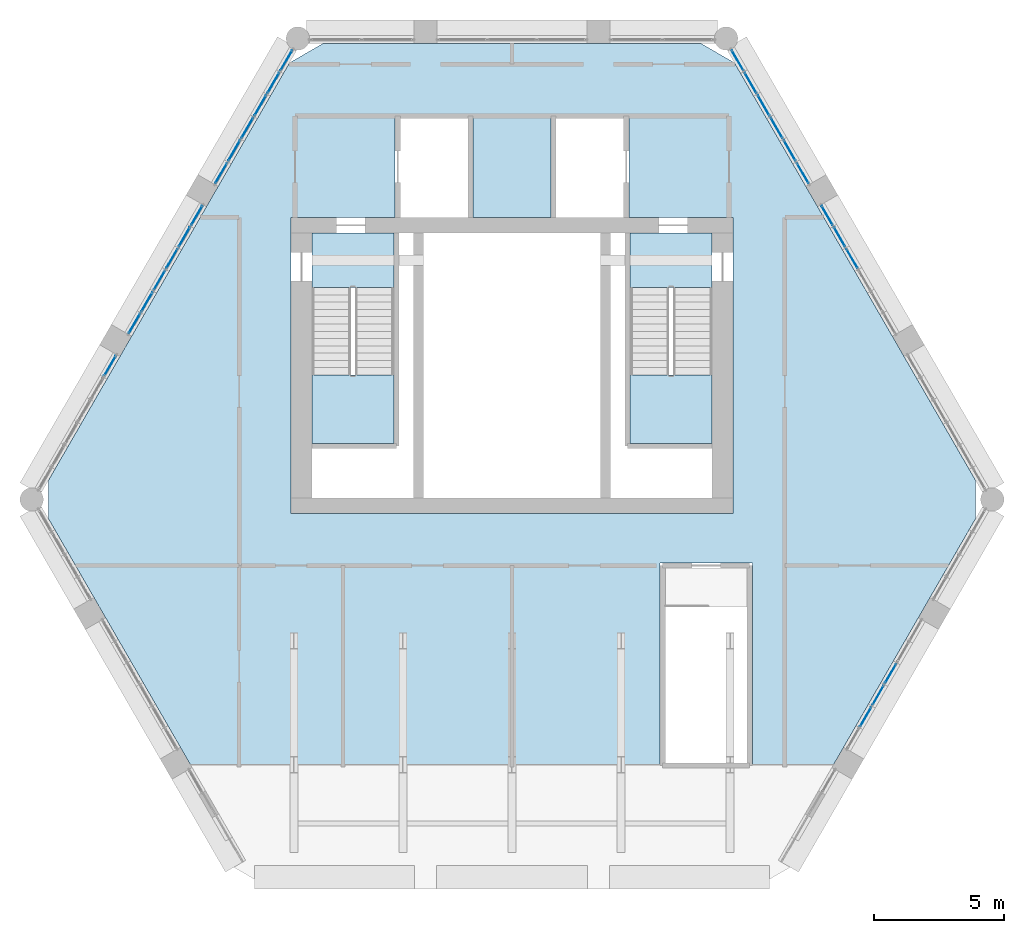
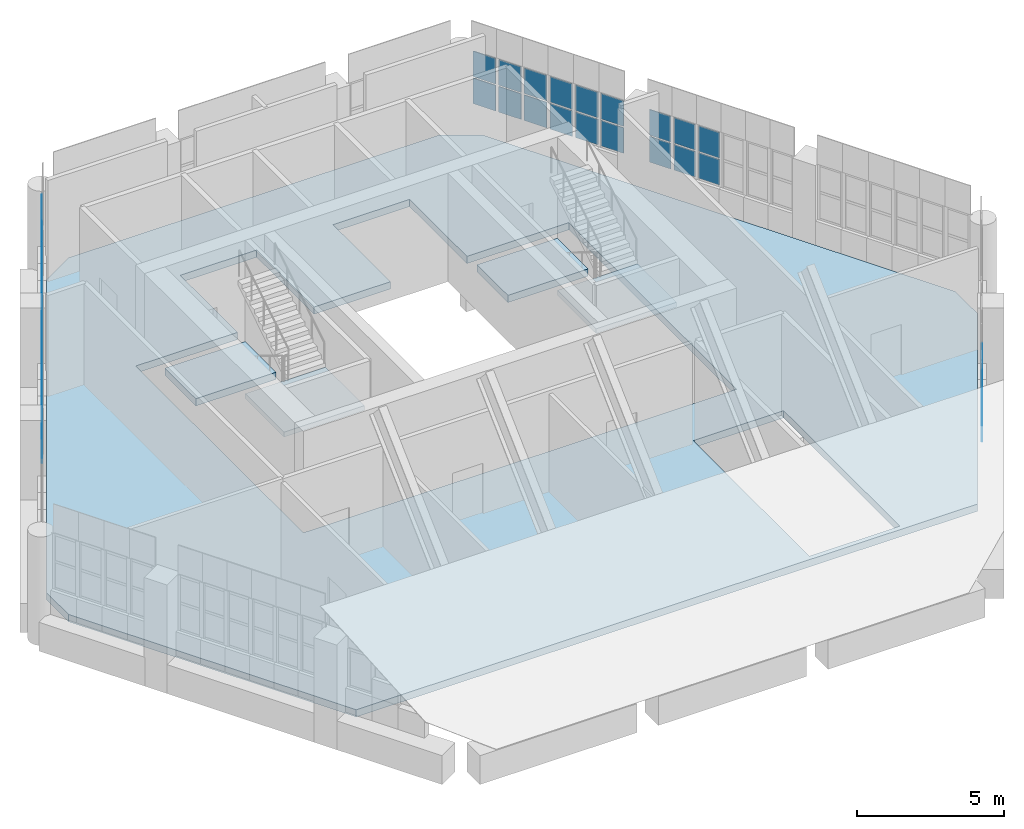
# One storey, part 18 of 25: 49 plates, 5 slabs, 27 elements without a shape of their own.
"""IFC4 building model written with IfcOpenShell, lengths in metres."""

from ifc_helpers import new_model, si_unit, direction, frame, origin, origin_2d, place, context, subcontext, project, spatial, polyline, rectangle, outline, extrude, material, layer, layer_set, type_object, element, aggregate, save


model = new_model("IFC4")

# Units and contexts
model_context = context("Model", 3, precision=1e-05, world=origin(), true_north=direction((0.0, 1.0)))
body_context = subcontext(model_context, "Body", "Model", "MODEL_VIEW")
ifc_project = project(units=[si_unit("LENGTHUNIT", "METRE"), si_unit("AREAUNIT", "SQUARE_METRE"), si_unit("VOLUMEUNIT", "CUBIC_METRE"), si_unit("PLANEANGLEUNIT", "RADIAN"), si_unit("MASSUNIT", "GRAM", prefix="KILO")], contexts=[model_context])

# Site, building, storey
site_placement = place(None, origin())
site = spatial("IfcSite", under=ifc_project, at=site_placement, CompositionType="ELEMENT")
building_placement = place(site_placement, origin())
building = spatial("IfcBuilding", under=site, at=building_placement, Name="Ostrander Bayou Hotel Tower", CompositionType="ELEMENT")
storey_placement = place(building_placement, frame((0.0, 0.0, 275.0)))
storey = spatial("IfcBuildingStorey", under=building, at=storey_placement, Name="L68", CompositionType="ELEMENT", Elevation=275.0)

# Curtain wall, plates
ifc_material_1 = material(Name="Aluminium and clear glass", Category="aluminium")
curtain_wall_type = type_object("IfcCurtainWallType", Name="CW-CROWN glazed wall", PredefinedType="NOTDEFINED", material=ifc_material_1)
curtain_wall_1_placement = place(storey_placement, origin())
curtain_wall_1 = element("IfcCurtainWall", 1, at=curtain_wall_1_placement, inside=storey, type_object=curtain_wall_type, Name="CW-CROWN L68:NW-1-1", PredefinedType="NOTDEFINED")
ifc_material_2 = material(Name="Clear laminated glass", Category="glass")
ifc_layer_1 = layer(ifc_material_2, 0.028076171875)
ifc_layer_set_1 = layer_set([ifc_layer_1], Name="CW-CR glazing panel 28 mm")
plate_type = type_object("IfcPlateType", Name="CW-CR glazing panel 28 mm", PredefinedType="CURTAIN_PANEL", material=ifc_layer_set_1)
plate_1_placement = place(storey_placement, frame((-8.682861328125, 15.748046875, 1.06005859375), z_axis=(0.0, 0.0, 1.0), x_axis=(-0.499998569184, -0.866026229865, 0.0)))
plate_1 = element("IfcPlate", 2, at=plate_1_placement, type_object=plate_type, Name="CW-CROWN panel 1.1", PredefinedType="CURTAIN_PANEL", context=body_context, shape_type="SweptSolid", body=[
    extrude(rectangle(XDim=0.88330078125, YDim=0.028076171875, at=origin_2d()), origin(), (0.0, 0.0, 1.0), 1.06005859375),
])
plate_2_placement = place(storey_placement, frame((-8.682861328125, 15.748046875, 2.179931640625), z_axis=(0.0, 0.0, 1.0), x_axis=(-0.499998569184, -0.866026229865, 0.0)))
plate_2 = element("IfcPlate", 3, at=plate_2_placement, type_object=plate_type, Name="CW-CROWN panel 1.2", PredefinedType="CURTAIN_PANEL", context=body_context, shape_type="SweptSolid", body=[
    extrude(rectangle(XDim=0.88330078125, YDim=0.028076171875, at=origin_2d()), origin(), (0.0, 0.0, 1.0), 1.06005859375),
])
aggregate(curtain_wall_1, [plate_1, plate_2])

curtain_wall_2_placement = place(storey_placement, origin())
curtain_wall_2 = element("IfcCurtainWall", 4, at=curtain_wall_2_placement, inside=storey, type_object=curtain_wall_type, Name="CW-CROWN L68:NW-1-2", PredefinedType="NOTDEFINED")
plate_3_placement = place(storey_placement, frame((-9.184326171875, 14.879150390625, 1.06005859375), z_axis=(0.0, 0.0, 1.0), x_axis=(-0.50004173523, -0.866001306597, 0.0)))
plate_3 = element("IfcPlate", 5, at=plate_3_placement, type_object=plate_type, Name="CW-CROWN panel 1.1", PredefinedType="CURTAIN_PANEL", context=body_context, shape_type="SweptSolid", body=[
    extrude(rectangle(XDim=0.883056640625, YDim=0.028076171875, at=origin_2d()), origin(), (0.0, 0.0, 1.0), 1.06005859375),
])
plate_4_placement = place(storey_placement, frame((-9.184326171875, 14.879150390625, 2.179931640625), z_axis=(0.0, 0.0, 1.0), x_axis=(-0.50004173523, -0.866001306597, 0.0)))
plate_4 = element("IfcPlate", 6, at=plate_4_placement, type_object=plate_type, Name="CW-CROWN panel 1.2", PredefinedType="CURTAIN_PANEL", context=body_context, shape_type="SweptSolid", body=[
    extrude(rectangle(XDim=0.883056640625, YDim=0.028076171875, at=origin_2d()), origin(), (0.0, 0.0, 1.0), 1.06005859375),
])
aggregate(curtain_wall_2, [plate_3, plate_4])

curtain_wall_3_placement = place(storey_placement, origin())
curtain_wall_3 = element("IfcCurtainWall", 7, at=curtain_wall_3_placement, inside=storey, type_object=curtain_wall_type, Name="CW-CROWN L68:NW-1-3", PredefinedType="NOTDEFINED")
plate_5_placement = place(storey_placement, frame((-9.68603515625, 14.010498046875, 1.06005859375), z_axis=(0.0, 0.0, 1.0), x_axis=(-0.499998569184, -0.866026229865, 0.0)))
plate_5 = element("IfcPlate", 8, at=plate_5_placement, type_object=plate_type, Name="CW-CROWN panel 1.1", PredefinedType="CURTAIN_PANEL", context=body_context, shape_type="SweptSolid", body=[
    extrude(rectangle(XDim=0.88330078125, YDim=0.028076171875, at=origin_2d()), origin(), (0.0, 0.0, 1.0), 1.06005859375),
])
plate_6_placement = place(storey_placement, frame((-9.68603515625, 14.010498046875, 2.179931640625), z_axis=(0.0, 0.0, 1.0), x_axis=(-0.499998569184, -0.866026229865, 0.0)))
plate_6 = element("IfcPlate", 9, at=plate_6_placement, type_object=plate_type, Name="CW-CROWN panel 1.2", PredefinedType="CURTAIN_PANEL", context=body_context, shape_type="SweptSolid", body=[
    extrude(rectangle(XDim=0.88330078125, YDim=0.028076171875, at=origin_2d()), origin(), (0.0, 0.0, 1.0), 1.06005859375),
])
aggregate(curtain_wall_3, [plate_5, plate_6])

curtain_wall_4_placement = place(storey_placement, origin())
curtain_wall_4 = element("IfcCurtainWall", 10, at=curtain_wall_4_placement, inside=storey, type_object=curtain_wall_type, Name="CW-CROWN L68:NW-1-4", PredefinedType="NOTDEFINED")
plate_7_placement = place(storey_placement, frame((-10.1875, 13.1416015625, 1.06005859375), z_axis=(0.0, 0.0, 1.0), x_axis=(-0.499923802893, -0.866069391736, 0.0)))
plate_7 = element("IfcPlate", 11, at=plate_7_placement, type_object=plate_type, Name="CW-CROWN panel 1.1", PredefinedType="CURTAIN_PANEL", context=body_context, shape_type="SweptSolid", body=[
    extrude(rectangle(XDim=0.883056640625, YDim=0.028076171875, at=origin_2d()), origin(), (0.0, 0.0, 1.0), 1.06005859375),
])
plate_8_placement = place(storey_placement, frame((-10.1875, 13.1416015625, 2.179931640625), z_axis=(0.0, 0.0, 1.0), x_axis=(-0.499923802893, -0.866069391736, 0.0)))
plate_8 = element("IfcPlate", 12, at=plate_8_placement, type_object=plate_type, Name="CW-CROWN panel 1.2", PredefinedType="CURTAIN_PANEL", context=body_context, shape_type="SweptSolid", body=[
    extrude(rectangle(XDim=0.883056640625, YDim=0.028076171875, at=origin_2d()), origin(), (0.0, 0.0, 1.0), 1.06005859375),
])
aggregate(curtain_wall_4, [plate_7, plate_8])

curtain_wall_5_placement = place(storey_placement, origin())
curtain_wall_5 = element("IfcCurtainWall", 13, at=curtain_wall_5_placement, inside=storey, type_object=curtain_wall_type, Name="CW-CROWN L68:NW-1-5", PredefinedType="NOTDEFINED")
plate_9_placement = place(storey_placement, frame((-10.689208984375, 12.27294921875, 1.06005859375), z_axis=(0.0, 0.0, 1.0), x_axis=(-0.50004173523, -0.866001306597, 0.0)))
plate_9 = element("IfcPlate", 14, at=plate_9_placement, type_object=plate_type, Name="CW-CROWN panel 1.1", PredefinedType="CURTAIN_PANEL", context=body_context, shape_type="SweptSolid", body=[
    extrude(rectangle(XDim=0.883056640625, YDim=0.028076171875, at=origin_2d()), origin(), (0.0, 0.0, 1.0), 1.06005859375),
])
plate_10_placement = place(storey_placement, frame((-10.689208984375, 12.27294921875, 2.179931640625), z_axis=(0.0, 0.0, 1.0), x_axis=(-0.50004173523, -0.866001306597, 0.0)))
plate_10 = element("IfcPlate", 15, at=plate_10_placement, type_object=plate_type, Name="CW-CROWN panel 1.2", PredefinedType="CURTAIN_PANEL", context=body_context, shape_type="SweptSolid", body=[
    extrude(rectangle(XDim=0.883056640625, YDim=0.028076171875, at=origin_2d()), origin(), (0.0, 0.0, 1.0), 1.06005859375),
])
aggregate(curtain_wall_5, [plate_9, plate_10])

curtain_wall_6_placement = place(storey_placement, origin())
curtain_wall_6 = element("IfcCurtainWall", 16, at=curtain_wall_6_placement, inside=storey, type_object=curtain_wall_type, Name="CW-CROWN L68:NW-1-6", PredefinedType="NOTDEFINED")
plate_11_placement = place(storey_placement, frame((-11.190673828125, 11.404296875, 1.06005859375), z_axis=(0.0, 0.0, 1.0), x_axis=(-0.499998569184, -0.866026229865, 0.0)))
plate_11 = element("IfcPlate", 17, at=plate_11_placement, type_object=plate_type, Name="CW-CROWN panel 1.1", PredefinedType="CURTAIN_PANEL", context=body_context, shape_type="SweptSolid", body=[
    extrude(rectangle(XDim=0.88330078125, YDim=0.028076171875, at=origin_2d()), origin(), (0.0, 0.0, 1.0), 1.06005859375),
])
plate_12_placement = place(storey_placement, frame((-11.190673828125, 11.404296875, 2.179931640625), z_axis=(0.0, 0.0, 1.0), x_axis=(-0.499998569184, -0.866026229865, 0.0)))
plate_12 = element("IfcPlate", 18, at=plate_12_placement, type_object=plate_type, Name="CW-CROWN panel 1.2", PredefinedType="CURTAIN_PANEL", context=body_context, shape_type="SweptSolid", body=[
    extrude(rectangle(XDim=0.88330078125, YDim=0.028076171875, at=origin_2d()), origin(), (0.0, 0.0, 1.0), 1.06005859375),
])
aggregate(curtain_wall_6, [plate_11, plate_12])

curtain_wall_7_placement = place(storey_placement, origin())
curtain_wall_7 = element("IfcCurtainWall", 19, at=curtain_wall_7_placement, inside=storey, type_object=curtain_wall_type, Name="CW-CROWN L68:NW-2-1", PredefinedType="NOTDEFINED")
plate_13_placement = place(storey_placement, frame((-12.13134765625, 9.77490234375, 1.06005859375), z_axis=(0.0, 0.0, 1.0), x_axis=(-0.500005045044, -0.866022491007, 0.0)))
plate_13 = element("IfcPlate", 20, at=plate_13_placement, type_object=plate_type, Name="CW-CROWN panel 1.1", PredefinedType="CURTAIN_PANEL", context=body_context, shape_type="SweptSolid", body=[
    extrude(rectangle(XDim=0.83984375, YDim=0.028076171875, at=origin_2d()), origin(), (0.0, 0.0, 1.0), 1.06005859375),
])
plate_14_placement = place(storey_placement, frame((-12.13134765625, 9.77490234375, 2.179931640625), z_axis=(0.0, 0.0, 1.0), x_axis=(-0.500005045044, -0.866022491007, 0.0)))
plate_14 = element("IfcPlate", 21, at=plate_14_placement, type_object=plate_type, Name="CW-CROWN panel 1.2", PredefinedType="CURTAIN_PANEL", context=body_context, shape_type="SweptSolid", body=[
    extrude(rectangle(XDim=0.83984375, YDim=0.028076171875, at=origin_2d()), origin(), (0.0, 0.0, 1.0), 1.06005859375),
])
aggregate(curtain_wall_7, [plate_13, plate_14])

curtain_wall_8_placement = place(storey_placement, origin())
curtain_wall_8 = element("IfcCurtainWall", 22, at=curtain_wall_8_placement, inside=storey, type_object=curtain_wall_type, Name="CW-CROWN L68:NW-2-2", PredefinedType="NOTDEFINED")
plate_15_placement = place(storey_placement, frame((-12.611328125, 8.943603515625, 1.06005859375), z_axis=(0.0, 0.0, 1.0), x_axis=(-0.500005045044, -0.866022491007, 0.0)))
plate_15 = element("IfcPlate", 23, at=plate_15_placement, type_object=plate_type, Name="CW-CROWN panel 1.1", PredefinedType="CURTAIN_PANEL", context=body_context, shape_type="SweptSolid", body=[
    extrude(rectangle(XDim=0.83984375, YDim=0.028076171875, at=origin_2d()), origin(), (0.0, 0.0, 1.0), 1.06005859375),
])
plate_16_placement = place(storey_placement, frame((-12.611328125, 8.943603515625, 2.179931640625), z_axis=(0.0, 0.0, 1.0), x_axis=(-0.500005045044, -0.866022491007, 0.0)))
plate_16 = element("IfcPlate", 24, at=plate_16_placement, type_object=plate_type, Name="CW-CROWN panel 1.2", PredefinedType="CURTAIN_PANEL", context=body_context, shape_type="SweptSolid", body=[
    extrude(rectangle(XDim=0.83984375, YDim=0.028076171875, at=origin_2d()), origin(), (0.0, 0.0, 1.0), 1.06005859375),
])
aggregate(curtain_wall_8, [plate_15, plate_16])

curtain_wall_9_placement = place(storey_placement, origin())
curtain_wall_9 = element("IfcCurtainWall", 25, at=curtain_wall_9_placement, inside=storey, type_object=curtain_wall_type, Name="CW-CROWN L68:NW-2-3", PredefinedType="NOTDEFINED")
plate_17_placement = place(storey_placement, frame((-13.09130859375, 8.1123046875, 1.06005859375), z_axis=(0.0, 0.0, 1.0), x_axis=(-0.500005045044, -0.866022491007, 0.0)))
plate_17 = element("IfcPlate", 26, at=plate_17_placement, type_object=plate_type, Name="CW-CROWN panel 1.1", PredefinedType="CURTAIN_PANEL", context=body_context, shape_type="SweptSolid", body=[
    extrude(rectangle(XDim=0.83984375, YDim=0.028076171875, at=origin_2d()), origin(), (0.0, 0.0, 1.0), 1.06005859375),
])
plate_18_placement = place(storey_placement, frame((-13.09130859375, 8.1123046875, 2.179931640625), z_axis=(0.0, 0.0, 1.0), x_axis=(-0.500005045044, -0.866022491007, 0.0)))
plate_18 = element("IfcPlate", 27, at=plate_18_placement, type_object=plate_type, Name="CW-CROWN panel 1.2", PredefinedType="CURTAIN_PANEL", context=body_context, shape_type="SweptSolid", body=[
    extrude(rectangle(XDim=0.83984375, YDim=0.028076171875, at=origin_2d()), origin(), (0.0, 0.0, 1.0), 1.06005859375),
])
aggregate(curtain_wall_9, [plate_17, plate_18])

curtain_wall_10_placement = place(storey_placement, origin())
curtain_wall_10 = element("IfcCurtainWall", 28, at=curtain_wall_10_placement, inside=storey, type_object=curtain_wall_type, Name="CW-CROWN L68:NW-2-4", PredefinedType="NOTDEFINED")
plate_19_placement = place(storey_placement, frame((-13.571044921875, 7.28125, 1.06005859375), z_axis=(0.0, 0.0, 1.0), x_axis=(-0.499959932788, -0.866048535364, 0.0)))
plate_19 = element("IfcPlate", 29, at=plate_19_placement, type_object=plate_type, Name="CW-CROWN panel 1.1", PredefinedType="CURTAIN_PANEL", context=body_context, shape_type="SweptSolid", body=[
    extrude(rectangle(XDim=0.83984375, YDim=0.028076171875, at=origin_2d()), origin(), (0.0, 0.0, 1.0), 1.06005859375),
])
plate_20_placement = place(storey_placement, frame((-13.571044921875, 7.28125, 2.179931640625), z_axis=(0.0, 0.0, 1.0), x_axis=(-0.499959932788, -0.866048535364, 0.0)))
plate_20 = element("IfcPlate", 30, at=plate_20_placement, type_object=plate_type, Name="CW-CROWN panel 1.2", PredefinedType="CURTAIN_PANEL", context=body_context, shape_type="SweptSolid", body=[
    extrude(rectangle(XDim=0.83984375, YDim=0.028076171875, at=origin_2d()), origin(), (0.0, 0.0, 1.0), 1.06005859375),
])
aggregate(curtain_wall_10, [plate_19, plate_20])

curtain_wall_11_placement = place(storey_placement, origin())
curtain_wall_11 = element("IfcCurtainWall", 31, at=curtain_wall_11_placement, inside=storey, type_object=curtain_wall_type, Name="CW-CROWN L68:NW-2-5", PredefinedType="NOTDEFINED")
plate_21_placement = place(storey_placement, frame((-14.051025390625, 6.449951171875, 1.06005859375), z_axis=(0.0, 0.0, 1.0), x_axis=(-0.500005045044, -0.866022491007, 0.0)))
plate_21 = element("IfcPlate", 32, at=plate_21_placement, type_object=plate_type, Name="CW-CROWN panel 1.1", PredefinedType="CURTAIN_PANEL", context=body_context, shape_type="SweptSolid", body=[
    extrude(rectangle(XDim=0.83984375, YDim=0.028076171875, at=origin_2d()), origin(), (0.0, 0.0, 1.0), 1.06005859375),
])
plate_22_placement = place(storey_placement, frame((-14.051025390625, 6.449951171875, 2.179931640625), z_axis=(0.0, 0.0, 1.0), x_axis=(-0.500005045044, -0.866022491007, 0.0)))
plate_22 = element("IfcPlate", 33, at=plate_22_placement, type_object=plate_type, Name="CW-CROWN panel 1.2", PredefinedType="CURTAIN_PANEL", context=body_context, shape_type="SweptSolid", body=[
    extrude(rectangle(XDim=0.83984375, YDim=0.028076171875, at=origin_2d()), origin(), (0.0, 0.0, 1.0), 1.06005859375),
])
aggregate(curtain_wall_11, [plate_21, plate_22])

curtain_wall_12_placement = place(storey_placement, origin())
curtain_wall_12 = element("IfcCurtainWall", 34, at=curtain_wall_12_placement, inside=storey, type_object=curtain_wall_type, Name="CW-CROWN L68:NW-2-6", PredefinedType="NOTDEFINED")
plate_23_placement = place(storey_placement, frame((-14.531005859375, 5.61865234375, 1.06005859375), z_axis=(0.0, 0.0, 1.0), x_axis=(-0.500005045044, -0.866022491007, 0.0)))
plate_23 = element("IfcPlate", 35, at=plate_23_placement, type_object=plate_type, Name="CW-CROWN panel 1.1", PredefinedType="CURTAIN_PANEL", context=body_context, shape_type="SweptSolid", body=[
    extrude(rectangle(XDim=0.83984375, YDim=0.028076171875, at=origin_2d()), origin(), (0.0, 0.0, 1.0), 1.06005859375),
])
plate_24_placement = place(storey_placement, frame((-14.531005859375, 5.61865234375, 2.179931640625), z_axis=(0.0, 0.0, 1.0), x_axis=(-0.500005045044, -0.866022491007, 0.0)))
plate_24 = element("IfcPlate", 36, at=plate_24_placement, type_object=plate_type, Name="CW-CROWN panel 1.2", PredefinedType="CURTAIN_PANEL", context=body_context, shape_type="SweptSolid", body=[
    extrude(rectangle(XDim=0.83984375, YDim=0.028076171875, at=origin_2d()), origin(), (0.0, 0.0, 1.0), 1.06005859375),
])
aggregate(curtain_wall_12, [plate_23, plate_24])

# Curtain wall, plate
curtain_wall_13_placement = place(storey_placement, origin())
curtain_wall_13 = element("IfcCurtainWall", 37, at=curtain_wall_13_placement, inside=storey, type_object=curtain_wall_type, Name="CW-CROWN L68:NW-3-1", PredefinedType="NOTDEFINED")
plate_25_placement = place(storey_placement, frame((-15.4716796875, 3.9892578125, 2.179931640625), z_axis=(0.0, 0.0, 1.0), x_axis=(-0.499966966783, -0.866044474681, 0.0)))
plate_25 = element("IfcPlate", 38, at=plate_25_placement, type_object=plate_type, Name="CW-CROWN panel 1.2", PredefinedType="CURTAIN_PANEL", context=body_context, shape_type="SweptSolid", body=[
    extrude(rectangle(XDim=0.883056640625, YDim=0.028076171875, at=origin_2d()), origin(), (0.0, 0.0, 1.0), 1.06005859375),
])
aggregate(curtain_wall_13, [plate_25])

# Curtain wall, plates
curtain_wall_14_placement = place(storey_placement, origin())
curtain_wall_14 = element("IfcCurtainWall", 39, at=curtain_wall_14_placement, inside=storey, type_object=curtain_wall_type, Name="CW-CROWN L68:SE-2-2", PredefinedType="NOTDEFINED")
plate_26_placement = place(storey_placement, frame((13.61279296875, -9.521728515625, 1.06005859375), z_axis=(0.0, 0.0, 1.0), x_axis=(0.500005045044, 0.866022491007, 0.0)))
plate_26 = element("IfcPlate", 40, at=plate_26_placement, type_object=plate_type, Name="CW-CROWN panel 1.1", PredefinedType="CURTAIN_PANEL", context=body_context, shape_type="SweptSolid", body=[
    extrude(rectangle(XDim=0.83984375, YDim=0.028076171875, at=origin_2d()), origin(), (0.0, 0.0, 1.0), 1.06005859375),
])
plate_27_placement = place(storey_placement, frame((13.61279296875, -9.521728515625, 2.179931640625), z_axis=(0.0, 0.0, 1.0), x_axis=(0.500005045044, 0.866022491007, 0.0)))
plate_27 = element("IfcPlate", 41, at=plate_27_placement, type_object=plate_type, Name="CW-CROWN panel 1.2", PredefinedType="CURTAIN_PANEL", context=body_context, shape_type="SweptSolid", body=[
    extrude(rectangle(XDim=0.83984375, YDim=0.028076171875, at=origin_2d()), origin(), (0.0, 0.0, 1.0), 1.06005859375),
])
aggregate(curtain_wall_14, [plate_26, plate_27])

curtain_wall_15_placement = place(storey_placement, origin())
curtain_wall_15 = element("IfcCurtainWall", 42, at=curtain_wall_15_placement, inside=storey, type_object=curtain_wall_type, Name="CW-CROWN L68:SE-2-3", PredefinedType="NOTDEFINED")
plate_28_placement = place(storey_placement, frame((14.0927734375, -8.690673828125, 1.06005859375), z_axis=(0.0, 0.0, 1.0), x_axis=(0.500005045044, 0.866022491007, 0.0)))
plate_28 = element("IfcPlate", 43, at=plate_28_placement, type_object=plate_type, Name="CW-CROWN panel 1.1", PredefinedType="CURTAIN_PANEL", context=body_context, shape_type="SweptSolid", body=[
    extrude(rectangle(XDim=0.83984375, YDim=0.028076171875, at=origin_2d()), origin(), (0.0, 0.0, 1.0), 1.06005859375),
])
plate_29_placement = place(storey_placement, frame((14.0927734375, -8.690673828125, 2.179931640625), z_axis=(0.0, 0.0, 1.0), x_axis=(0.500005045044, 0.866022491007, 0.0)))
plate_29 = element("IfcPlate", 44, at=plate_29_placement, type_object=plate_type, Name="CW-CROWN panel 1.2", PredefinedType="CURTAIN_PANEL", context=body_context, shape_type="SweptSolid", body=[
    extrude(rectangle(XDim=0.83984375, YDim=0.028076171875, at=origin_2d()), origin(), (0.0, 0.0, 1.0), 1.06005859375),
])
aggregate(curtain_wall_15, [plate_28, plate_29])

curtain_wall_16_placement = place(storey_placement, origin())
curtain_wall_16 = element("IfcCurtainWall", 45, at=curtain_wall_16_placement, inside=storey, type_object=curtain_wall_type, Name="CW-CROWN L68:SE-2-4", PredefinedType="NOTDEFINED")
plate_30_placement = place(storey_placement, frame((14.57275390625, -7.859375, 1.06005859375), z_axis=(0.0, 0.0, 1.0), x_axis=(0.500005045044, 0.866022491007, 0.0)))
plate_30 = element("IfcPlate", 46, at=plate_30_placement, type_object=plate_type, Name="CW-CROWN panel 1.1", PredefinedType="CURTAIN_PANEL", context=body_context, shape_type="SweptSolid", body=[
    extrude(rectangle(XDim=0.83984375, YDim=0.028076171875, at=origin_2d()), origin(), (0.0, 0.0, 1.0), 1.06005859375),
])
plate_31_placement = place(storey_placement, frame((14.57275390625, -7.859375, 2.179931640625), z_axis=(0.0, 0.0, 1.0), x_axis=(0.500005045044, 0.866022491007, 0.0)))
plate_31 = element("IfcPlate", 47, at=plate_31_placement, type_object=plate_type, Name="CW-CROWN panel 1.2", PredefinedType="CURTAIN_PANEL", context=body_context, shape_type="SweptSolid", body=[
    extrude(rectangle(XDim=0.83984375, YDim=0.028076171875, at=origin_2d()), origin(), (0.0, 0.0, 1.0), 1.06005859375),
])
aggregate(curtain_wall_16, [plate_30, plate_31])

curtain_wall_17_placement = place(storey_placement, origin())
curtain_wall_17 = element("IfcCurtainWall", 48, at=curtain_wall_17_placement, inside=storey, type_object=curtain_wall_type, Name="CW-CROWN L68:NE-2-4", PredefinedType="NOTDEFINED")
plate_32_placement = place(storey_placement, frame((13.09130859375, 8.1123046875, 1.06005859375), z_axis=(0.0, 0.0, 1.0), x_axis=(-0.500005045044, 0.866022491007, 0.0)))
plate_32 = element("IfcPlate", 49, at=plate_32_placement, type_object=plate_type, Name="CW-CROWN panel 1.1", PredefinedType="CURTAIN_PANEL", context=body_context, shape_type="SweptSolid", body=[
    extrude(rectangle(XDim=0.83984375, YDim=0.028076171875, at=origin_2d()), origin(), (0.0, 0.0, 1.0), 1.06005859375),
])
plate_33_placement = place(storey_placement, frame((13.09130859375, 8.1123046875, 2.179931640625), z_axis=(0.0, 0.0, 1.0), x_axis=(-0.500005045044, 0.866022491007, 0.0)))
plate_33 = element("IfcPlate", 50, at=plate_33_placement, type_object=plate_type, Name="CW-CROWN panel 1.2", PredefinedType="CURTAIN_PANEL", context=body_context, shape_type="SweptSolid", body=[
    extrude(rectangle(XDim=0.83984375, YDim=0.028076171875, at=origin_2d()), origin(), (0.0, 0.0, 1.0), 1.06005859375),
])
aggregate(curtain_wall_17, [plate_32, plate_33])

curtain_wall_18_placement = place(storey_placement, origin())
curtain_wall_18 = element("IfcCurtainWall", 51, at=curtain_wall_18_placement, inside=storey, type_object=curtain_wall_type, Name="CW-CROWN L68:NE-2-5", PredefinedType="NOTDEFINED")
plate_34_placement = place(storey_placement, frame((12.611328125, 8.943603515625, 1.06005859375), z_axis=(0.0, 0.0, 1.0), x_axis=(-0.500005045044, 0.866022491007, 0.0)))
plate_34 = element("IfcPlate", 52, at=plate_34_placement, type_object=plate_type, Name="CW-CROWN panel 1.1", PredefinedType="CURTAIN_PANEL", context=body_context, shape_type="SweptSolid", body=[
    extrude(rectangle(XDim=0.83984375, YDim=0.028076171875, at=origin_2d()), origin(), (0.0, 0.0, 1.0), 1.06005859375),
])
plate_35_placement = place(storey_placement, frame((12.611328125, 8.943603515625, 2.179931640625), z_axis=(0.0, 0.0, 1.0), x_axis=(-0.500005045044, 0.866022491007, 0.0)))
plate_35 = element("IfcPlate", 53, at=plate_35_placement, type_object=plate_type, Name="CW-CROWN panel 1.2", PredefinedType="CURTAIN_PANEL", context=body_context, shape_type="SweptSolid", body=[
    extrude(rectangle(XDim=0.83984375, YDim=0.028076171875, at=origin_2d()), origin(), (0.0, 0.0, 1.0), 1.06005859375),
])
aggregate(curtain_wall_18, [plate_34, plate_35])

curtain_wall_19_placement = place(storey_placement, origin())
curtain_wall_19 = element("IfcCurtainWall", 54, at=curtain_wall_19_placement, inside=storey, type_object=curtain_wall_type, Name="CW-CROWN L68:NE-2-6", PredefinedType="NOTDEFINED")
plate_36_placement = place(storey_placement, frame((12.13134765625, 9.77490234375, 1.06005859375), z_axis=(0.0, 0.0, 1.0), x_axis=(-0.500005045044, 0.866022491007, 0.0)))
plate_36 = element("IfcPlate", 55, at=plate_36_placement, type_object=plate_type, Name="CW-CROWN panel 1.1", PredefinedType="CURTAIN_PANEL", context=body_context, shape_type="SweptSolid", body=[
    extrude(rectangle(XDim=0.83984375, YDim=0.028076171875, at=origin_2d()), origin(), (0.0, 0.0, 1.0), 1.06005859375),
])
plate_37_placement = place(storey_placement, frame((12.13134765625, 9.77490234375, 2.179931640625), z_axis=(0.0, 0.0, 1.0), x_axis=(-0.500005045044, 0.866022491007, 0.0)))
plate_37 = element("IfcPlate", 56, at=plate_37_placement, type_object=plate_type, Name="CW-CROWN panel 1.2", PredefinedType="CURTAIN_PANEL", context=body_context, shape_type="SweptSolid", body=[
    extrude(rectangle(XDim=0.83984375, YDim=0.028076171875, at=origin_2d()), origin(), (0.0, 0.0, 1.0), 1.06005859375),
])
aggregate(curtain_wall_19, [plate_36, plate_37])

curtain_wall_20_placement = place(storey_placement, origin())
curtain_wall_20 = element("IfcCurtainWall", 57, at=curtain_wall_20_placement, inside=storey, type_object=curtain_wall_type, Name="CW-CROWN L68:NE-3-1", PredefinedType="NOTDEFINED")
plate_38_placement = place(storey_placement, frame((11.190673828125, 11.404296875, 1.06005859375), z_axis=(0.0, 0.0, 1.0), x_axis=(-0.499998569184, 0.866026229865, 0.0)))
plate_38 = element("IfcPlate", 58, at=plate_38_placement, type_object=plate_type, Name="CW-CROWN panel 1.1", PredefinedType="CURTAIN_PANEL", context=body_context, shape_type="SweptSolid", body=[
    extrude(rectangle(XDim=0.88330078125, YDim=0.028076171875, at=origin_2d()), origin(), (0.0, 0.0, 1.0), 1.06005859375),
])
plate_39_placement = place(storey_placement, frame((11.190673828125, 11.404296875, 2.179931640625), z_axis=(0.0, 0.0, 1.0), x_axis=(-0.499998569184, 0.866026229865, 0.0)))
plate_39 = element("IfcPlate", 59, at=plate_39_placement, type_object=plate_type, Name="CW-CROWN panel 1.2", PredefinedType="CURTAIN_PANEL", context=body_context, shape_type="SweptSolid", body=[
    extrude(rectangle(XDim=0.88330078125, YDim=0.028076171875, at=origin_2d()), origin(), (0.0, 0.0, 1.0), 1.06005859375),
])
aggregate(curtain_wall_20, [plate_38, plate_39])

curtain_wall_21_placement = place(storey_placement, origin())
curtain_wall_21 = element("IfcCurtainWall", 60, at=curtain_wall_21_placement, inside=storey, type_object=curtain_wall_type, Name="CW-CROWN L68:NE-3-2", PredefinedType="NOTDEFINED")
plate_40_placement = place(storey_placement, frame((10.689208984375, 12.27294921875, 1.06005859375), z_axis=(0.0, 0.0, 1.0), x_axis=(-0.50004173523, 0.866001306597, 0.0)))
plate_40 = element("IfcPlate", 61, at=plate_40_placement, type_object=plate_type, Name="CW-CROWN panel 1.1", PredefinedType="CURTAIN_PANEL", context=body_context, shape_type="SweptSolid", body=[
    extrude(rectangle(XDim=0.883056640625, YDim=0.028076171875, at=origin_2d()), origin(), (0.0, 0.0, 1.0), 1.06005859375),
])
plate_41_placement = place(storey_placement, frame((10.689208984375, 12.27294921875, 2.179931640625), z_axis=(0.0, 0.0, 1.0), x_axis=(-0.50004173523, 0.866001306597, 0.0)))
plate_41 = element("IfcPlate", 62, at=plate_41_placement, type_object=plate_type, Name="CW-CROWN panel 1.2", PredefinedType="CURTAIN_PANEL", context=body_context, shape_type="SweptSolid", body=[
    extrude(rectangle(XDim=0.883056640625, YDim=0.028076171875, at=origin_2d()), origin(), (0.0, 0.0, 1.0), 1.06005859375),
])
aggregate(curtain_wall_21, [plate_40, plate_41])

curtain_wall_22_placement = place(storey_placement, origin())
curtain_wall_22 = element("IfcCurtainWall", 63, at=curtain_wall_22_placement, inside=storey, type_object=curtain_wall_type, Name="CW-CROWN L68:NE-3-3", PredefinedType="NOTDEFINED")
plate_42_placement = place(storey_placement, frame((10.1875, 13.1416015625, 1.06005859375), z_axis=(0.0, 0.0, 1.0), x_axis=(-0.499923802893, 0.866069391736, 0.0)))
plate_42 = element("IfcPlate", 64, at=plate_42_placement, type_object=plate_type, Name="CW-CROWN panel 1.1", PredefinedType="CURTAIN_PANEL", context=body_context, shape_type="SweptSolid", body=[
    extrude(rectangle(XDim=0.883056640625, YDim=0.028076171875, at=origin_2d()), origin(), (0.0, 0.0, 1.0), 1.06005859375),
])
plate_43_placement = place(storey_placement, frame((10.1875, 13.1416015625, 2.179931640625), z_axis=(0.0, 0.0, 1.0), x_axis=(-0.499923802893, 0.866069391736, 0.0)))
plate_43 = element("IfcPlate", 65, at=plate_43_placement, type_object=plate_type, Name="CW-CROWN panel 1.2", PredefinedType="CURTAIN_PANEL", context=body_context, shape_type="SweptSolid", body=[
    extrude(rectangle(XDim=0.883056640625, YDim=0.028076171875, at=origin_2d()), origin(), (0.0, 0.0, 1.0), 1.06005859375),
])
aggregate(curtain_wall_22, [plate_42, plate_43])

curtain_wall_23_placement = place(storey_placement, origin())
curtain_wall_23 = element("IfcCurtainWall", 66, at=curtain_wall_23_placement, inside=storey, type_object=curtain_wall_type, Name="CW-CROWN L68:NE-3-4", PredefinedType="NOTDEFINED")
plate_44_placement = place(storey_placement, frame((9.68603515625, 14.010498046875, 1.06005859375), z_axis=(0.0, 0.0, 1.0), x_axis=(-0.499998569184, 0.866026229865, 0.0)))
plate_44 = element("IfcPlate", 67, at=plate_44_placement, type_object=plate_type, Name="CW-CROWN panel 1.1", PredefinedType="CURTAIN_PANEL", context=body_context, shape_type="SweptSolid", body=[
    extrude(rectangle(XDim=0.88330078125, YDim=0.028076171875, at=origin_2d()), origin(), (0.0, 0.0, 1.0), 1.06005859375),
])
plate_45_placement = place(storey_placement, frame((9.68603515625, 14.010498046875, 2.179931640625), z_axis=(0.0, 0.0, 1.0), x_axis=(-0.499998569184, 0.866026229865, 0.0)))
plate_45 = element("IfcPlate", 68, at=plate_45_placement, type_object=plate_type, Name="CW-CROWN panel 1.2", PredefinedType="CURTAIN_PANEL", context=body_context, shape_type="SweptSolid", body=[
    extrude(rectangle(XDim=0.88330078125, YDim=0.028076171875, at=origin_2d()), origin(), (0.0, 0.0, 1.0), 1.06005859375),
])
aggregate(curtain_wall_23, [plate_44, plate_45])

curtain_wall_24_placement = place(storey_placement, origin())
curtain_wall_24 = element("IfcCurtainWall", 69, at=curtain_wall_24_placement, inside=storey, type_object=curtain_wall_type, Name="CW-CROWN L68:NE-3-5", PredefinedType="NOTDEFINED")
plate_46_placement = place(storey_placement, frame((9.184326171875, 14.879150390625, 1.06005859375), z_axis=(0.0, 0.0, 1.0), x_axis=(-0.50004173523, 0.866001306597, 0.0)))
plate_46 = element("IfcPlate", 70, at=plate_46_placement, type_object=plate_type, Name="CW-CROWN panel 1.1", PredefinedType="CURTAIN_PANEL", context=body_context, shape_type="SweptSolid", body=[
    extrude(rectangle(XDim=0.883056640625, YDim=0.028076171875, at=origin_2d()), origin(), (0.0, 0.0, 1.0), 1.06005859375),
])
plate_47_placement = place(storey_placement, frame((9.184326171875, 14.879150390625, 2.179931640625), z_axis=(0.0, 0.0, 1.0), x_axis=(-0.50004173523, 0.866001306597, 0.0)))
plate_47 = element("IfcPlate", 71, at=plate_47_placement, type_object=plate_type, Name="CW-CROWN panel 1.2", PredefinedType="CURTAIN_PANEL", context=body_context, shape_type="SweptSolid", body=[
    extrude(rectangle(XDim=0.883056640625, YDim=0.028076171875, at=origin_2d()), origin(), (0.0, 0.0, 1.0), 1.06005859375),
])
aggregate(curtain_wall_24, [plate_46, plate_47])

curtain_wall_25_placement = place(storey_placement, origin())
curtain_wall_25 = element("IfcCurtainWall", 72, at=curtain_wall_25_placement, inside=storey, type_object=curtain_wall_type, Name="CW-CROWN L68:NE-3-6", PredefinedType="NOTDEFINED")
plate_48_placement = place(storey_placement, frame((8.682861328125, 15.748046875, 1.06005859375), z_axis=(0.0, 0.0, 1.0), x_axis=(-0.499998569184, 0.866026229865, 0.0)))
plate_48 = element("IfcPlate", 73, at=plate_48_placement, type_object=plate_type, Name="CW-CROWN panel 1.1", PredefinedType="CURTAIN_PANEL", context=body_context, shape_type="SweptSolid", body=[
    extrude(rectangle(XDim=0.88330078125, YDim=0.028076171875, at=origin_2d()), origin(), (0.0, 0.0, 1.0), 1.06005859375),
])
plate_49_placement = place(storey_placement, frame((8.682861328125, 15.748046875, 2.179931640625), z_axis=(0.0, 0.0, 1.0), x_axis=(-0.499998569184, 0.866026229865, 0.0)))
plate_49 = element("IfcPlate", 74, at=plate_49_placement, type_object=plate_type, Name="CW-CROWN panel 1.2", PredefinedType="CURTAIN_PANEL", context=body_context, shape_type="SweptSolid", body=[
    extrude(rectangle(XDim=0.88330078125, YDim=0.028076171875, at=origin_2d()), origin(), (0.0, 0.0, 1.0), 1.06005859375),
])
aggregate(curtain_wall_25, [plate_48, plate_49])

# Slabs
ifc_material_3 = material(Name="Concrete f'c 40 MPa", Category="concrete")
ifc_layer_2 = layer(ifc_material_3, 0.300048828125)
ifc_layer_set_2 = layer_set([ifc_layer_2], Name="SL1 floor slab 300 mm f'c 40 MPa")
slab_type_1 = type_object("IfcSlabType", Name="SL1 floor slab 300 mm f'c 40 MPa", PredefinedType="FLOOR", material=ifc_layer_set_2)
slab_1_placement = place(storey_placement, frame((0.0, 0.0, -0.300048828125)))
element("IfcSlab", 75, at=slab_1_placement, inside=storey, type_object=slab_type_1, Name="SL1 L68 1", PredefinedType="FLOOR", context=body_context, shape_type="SweptSolid", body=[
    extrude(outline(polyline([(17.83642578125, -0.406494140625), (17.83642578125, -1.906494140625), (12.191162109375, -11.684326171875), (-12.191162109375, -11.684326171875), (-17.83642578125, -1.906494140625), (-17.83642578125, -0.406494140625), (-8.566162109375, 15.64990234375), (-7.26708984375, 16.39990234375), (7.26708984375, 16.39990234375), (8.566162109375, 15.64990234375), (17.83642578125, -0.406494140625)]), holes=[polyline([(9.25, -3.60009765625), (5.699951171875, -3.60009765625), (5.699951171875, -11.5), (9.25, -11.5), (9.25, -3.60009765625)]), polyline([(-8.5, -1.699951171875), (8.5, -1.699951171875), (8.5, 9.699951171875), (4.5, 9.699951171875), (4.5, 13.60009765625), (1.5, 13.60009765625), (1.5, 9.699951171875), (-1.5, 9.699951171875), (-1.5, 13.60009765625), (-4.5, 13.60009765625), (-4.5, 9.699951171875), (-8.5, 9.699951171875), (-8.5, -1.699951171875)])]), origin(), (0.0, 0.0, 1.0), 0.300048828125),
])
slab_2_placement = place(storey_placement, frame((0.0, 0.0, -0.300048828125)))
element("IfcSlab", 76, at=slab_2_placement, inside=storey, type_object=slab_type_1, Name="cslab:L68:001", PredefinedType="FLOOR", context=body_context, shape_type="SweptSolid", body=[
    extrude(outline(polyline([(-7.699951171875, 7.0), (-7.699951171875, 9.10009765625), (-4.550048828125, 9.10009765625), (-4.550048828125, 7.0), (-7.699951171875, 7.0)])), origin(), (0.0, 0.0, 1.0), 0.300048828125),
])
slab_3_placement = place(storey_placement, frame((0.0, 0.0, -0.300048828125)))
element("IfcSlab", 77, at=slab_3_placement, inside=storey, type_object=slab_type_1, Name="cslab:L68:002", PredefinedType="FLOOR", context=body_context, shape_type="SweptSolid", body=[
    extrude(outline(polyline([(4.550048828125, 7.0), (4.550048828125, 9.10009765625), (7.699951171875, 9.10009765625), (7.699951171875, 7.0), (4.550048828125, 7.0)])), origin(), (0.0, 0.0, 1.0), 0.300048828125),
])

# Stair, slab
ifc_material_4 = material(Name="Concrete f'c 45 MPa", Category="concrete")
stair_type = type_object("IfcStairType", Name="ST1 exit stair 1500 mm f'c 45 MPa", PredefinedType="HALF_TURN_STAIR", material=ifc_material_4)
stair_1_placement = place(storey_placement, origin())
stair_1 = element("IfcStair", 78, at=stair_1_placement, inside=storey, type_object=stair_type, Name="L68 exit stair A", PredefinedType="HALF_TURN_STAIR")
ifc_material_5 = material(Name="Concrete f'c 45 MPa", Category="concrete")
ifc_layer_3 = layer(ifc_material_5, 0.199951171875)
ifc_layer_set_3 = layer_set([ifc_layer_3], Name="SL8 stair landing 200 mm f'c 45 MPa")
slab_type_2 = type_object("IfcSlabType", Name="SL8 stair landing 200 mm f'c 45 MPa", PredefinedType="LANDING", material=ifc_layer_set_3)
slab_4_placement = place(storey_placement, frame((0.0, 0.0, 2.050048828125)))
slab_4 = element("IfcSlab", 79, at=slab_4_placement, type_object=slab_type_2, Name="STA landing 1", PredefinedType="LANDING", context=body_context, shape_type="SweptSolid", body=[
    extrude(outline(polyline([(-7.699951171875, 3.639892578125), (-7.699951171875, 1.0), (-4.550048828125, 1.0), (-4.550048828125, 3.639892578125), (-7.699951171875, 3.639892578125)])), origin(), (0.0, 0.0, 1.0), 0.199951171875),
])
aggregate(stair_1, [slab_4])

stair_2_placement = place(storey_placement, origin())
stair_2 = element("IfcStair", 80, at=stair_2_placement, inside=storey, type_object=stair_type, Name="L68 exit stair B", PredefinedType="HALF_TURN_STAIR")
slab_5_placement = place(storey_placement, frame((0.0, 0.0, 2.050048828125)))
slab_5 = element("IfcSlab", 81, at=slab_5_placement, type_object=slab_type_2, Name="STB landing 1", PredefinedType="LANDING", context=body_context, shape_type="SweptSolid", body=[
    extrude(outline(polyline([(4.550048828125, 3.639892578125), (4.550048828125, 1.0), (7.699951171875, 1.0), (7.699951171875, 3.639892578125), (4.550048828125, 3.639892578125)])), origin(), (0.0, 0.0, 1.0), 0.199951171875),
])
aggregate(stair_2, [slab_5])

save(model, "model.ifc")
